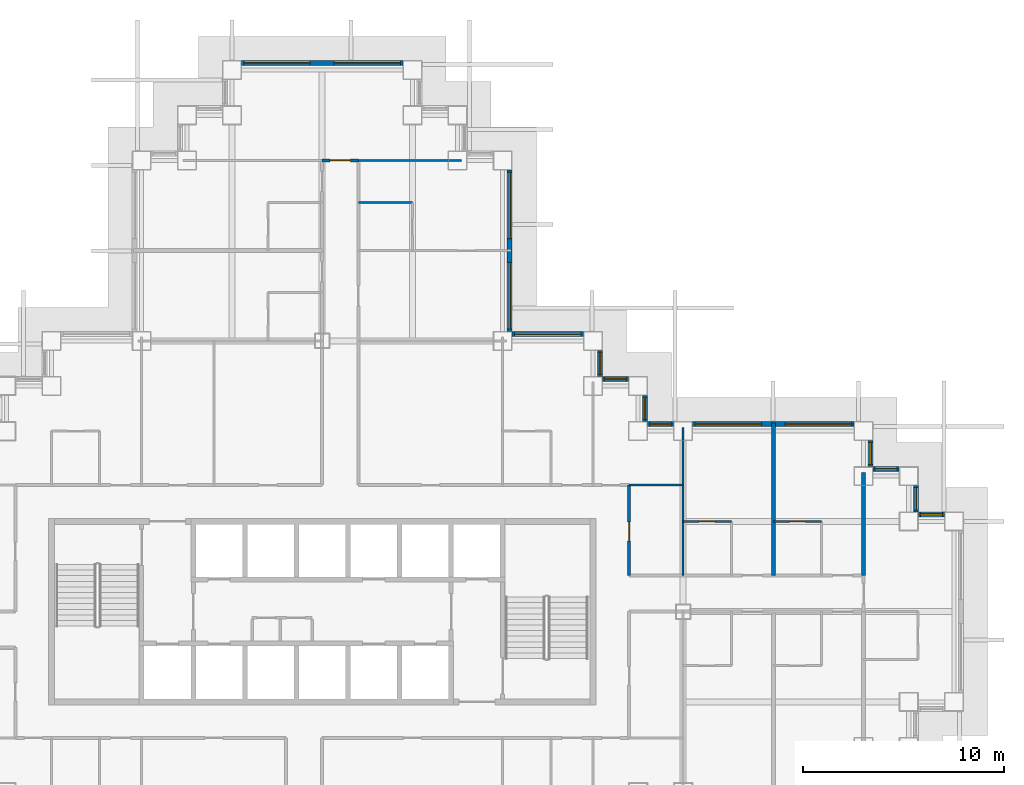
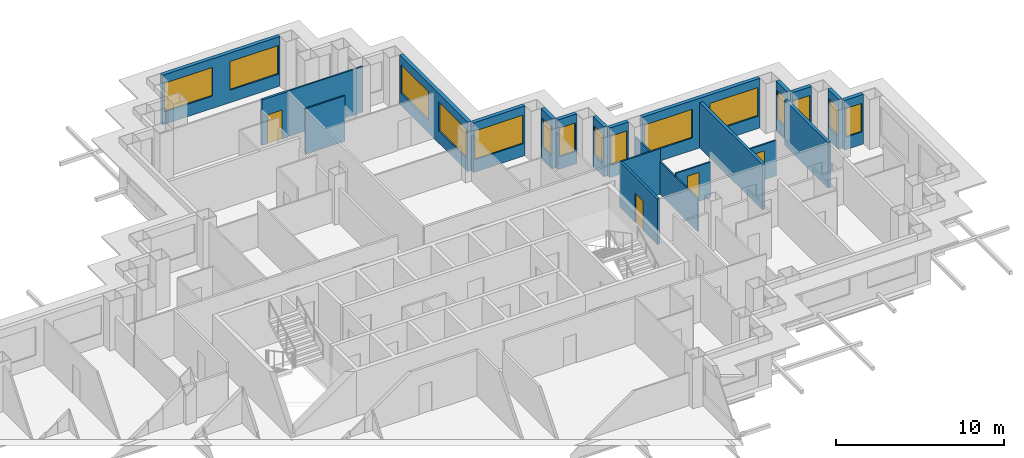
# One storey, part 9 of 15: 22 walls, 15 windows, 4 doors, 19 openings.
"""IFC4 building model written with IfcOpenShell, lengths in metres."""

from ifc_helpers import new_model, si_unit, direction, frame, frame_2d, origin, place, context, subcontext, project, spatial, rectangle, extrude, material, layer, layer_set, type_object, element, fill, save


model = new_model("IFC4")

# Units and contexts
model_context = context("Model", 3, precision=1e-05, world=origin(), true_north=direction((0.0, 1.0)))
body_context = subcontext(model_context, "Body", "Model", "MODEL_VIEW")
ifc_project = project(units=[si_unit("LENGTHUNIT", "METRE"), si_unit("AREAUNIT", "SQUARE_METRE"), si_unit("VOLUMEUNIT", "CUBIC_METRE"), si_unit("PLANEANGLEUNIT", "RADIAN"), si_unit("MASSUNIT", "GRAM", prefix="KILO")], contexts=[model_context])

# Site, building, storey
site_placement = place(None, origin())
site = spatial("IfcSite", under=ifc_project, at=site_placement, CompositionType="ELEMENT")
building_placement = place(site_placement, origin())
building = spatial("IfcBuilding", under=site, at=building_placement, Name="Caravel Reach Hotel and Residences", CompositionType="ELEMENT")
storey_placement = place(building_placement, frame((0.0, 0.0, 81.60009765625)))
storey = spatial("IfcBuildingStorey", under=building, at=storey_placement, Name="L19", CompositionType="ELEMENT", Elevation=81.60009765625)

# Wall, opening, door
ifc_material_1 = material(Name="Gypsum board on steel stud", Category="steel")
ifc_layer_1 = layer(ifc_material_1, 0.10009765625)
ifc_layer_set_1 = layer_set([ifc_layer_1], Name="Bathroom pod wall 100 mm")
wall_type_1 = type_object("IfcWallType", Name="Bathroom pod wall 100 mm", PredefinedType="PARTITIONING", material=ifc_layer_set_1)
wall_1_placement = place(storey_placement, frame((49.5, 31.5, 0.0), z_axis=(0.0, 0.0, 1.0), x_axis=(1.0, 0.0, 0.0)))
wall_1 = element("IfcWall", 1, at=wall_1_placement, inside=storey, type_object=wall_type_1, Name="L19 wall w093", PredefinedType="PARTITIONING", context=body_context, shape_type="SweptSolid", body=[
    extrude(rectangle(XDim=2.39990234375, YDim=0.10009765625, at=frame_2d((1.199951171875, 0.0))), origin(), (0.0, 0.0, 1.0), 2.579833984375),
])
opening_1_placement = place(wall_1_placement, frame((0.800048828125, 0.0, 0.0)))
opening_1 = element("IfcOpeningElement", 2, at=opening_1_placement, cuts=wall_1, Name="Opening D19-028", PredefinedType="OPENING", context=body_context, shape_type="SweptSolid", body=[
    extrude(rectangle(XDim=0.800048828125, YDim=2.10009765625, at=frame_2d((0.39990234375, 1.050048828125))), frame((0.0, 0.06005859375, 0.0), z_axis=(0.0, -1.0, 0.0), x_axis=(1.0, 0.0, 0.0)), (0.0, 0.0, 1.0), 0.1201171875),
])
ifc_material_2 = material(Name="Timber and steel door leaf", Category="steel")
door_type_1 = type_object("IfcDoorType", Name="Bathroom door 800 x 2100", OperationType="SINGLE_SWING_LEFT", PredefinedType="DOOR", material=ifc_material_2)
door_1_placement = place(opening_1_placement, origin())
door_1 = element("IfcDoor", 3, at=door_1_placement, inside=storey, type_object=door_type_1, Name="door D19-028", OperationType="SINGLE_SWING_LEFT", OverallHeight=2.10009765625, OverallWidth=0.800048828125, PredefinedType="DOOR", context=body_context, shape_type="SweptSolid", body=[
    extrude(rectangle(XDim=0.800048828125, YDim=2.10009765625, at=frame_2d((0.39990234375, 1.050048828125))), frame((0.0, 0.02490234375, 0.0), z_axis=(0.0, -1.0, 0.0), x_axis=(1.0, 0.0, 0.0)), (0.0, 0.0, 1.0), 0.050048828125),
])
fill(opening_1, door_1)

wall_2_placement = place(storey_placement, frame((54.0, 31.5, 0.0), z_axis=(0.0, 0.0, 1.0), x_axis=(1.0, 0.0, 0.0)))
wall_2 = element("IfcWall", 4, at=wall_2_placement, inside=storey, type_object=wall_type_1, Name="L19 wall w094", PredefinedType="PARTITIONING", context=body_context, shape_type="SweptSolid", body=[
    extrude(rectangle(XDim=2.39990234375, YDim=0.10009765625, at=frame_2d((1.199951171875, 0.0))), origin(), (0.0, 0.0, 1.0), 2.579833984375),
])
opening_2_placement = place(wall_2_placement, frame((0.800048828125, 0.0, 0.0)))
opening_2 = element("IfcOpeningElement", 5, at=opening_2_placement, cuts=wall_2, Name="Opening D19-030", PredefinedType="OPENING", context=body_context, shape_type="SweptSolid", body=[
    extrude(rectangle(XDim=0.800048828125, YDim=2.10009765625, at=frame_2d((0.39990234375, 1.050048828125))), frame((0.0, 0.06005859375, 0.0), z_axis=(0.0, -1.0, 0.0), x_axis=(1.0, 0.0, 0.0)), (0.0, 0.0, 1.0), 0.1201171875),
])
door_2_placement = place(opening_2_placement, origin())
door_2 = element("IfcDoor", 6, at=door_2_placement, inside=storey, type_object=door_type_1, Name="door D19-030", OperationType="SINGLE_SWING_LEFT", OverallHeight=2.10009765625, OverallWidth=0.800048828125, PredefinedType="DOOR", context=body_context, shape_type="SweptSolid", body=[
    extrude(rectangle(XDim=0.800048828125, YDim=2.10009765625, at=frame_2d((0.39990234375, 1.050048828125))), frame((0.0, 0.02490234375, 0.0), z_axis=(0.0, -1.0, 0.0), x_axis=(1.0, 0.0, 0.0)), (0.0, 0.0, 1.0), 0.050048828125),
])
fill(opening_2, door_2)

# Wall
wall_3_placement = place(storey_placement, frame((33.300048828125, 47.39990234375, 0.0), z_axis=(0.0, 0.0, 1.0), x_axis=(1.0, 0.0, 0.0)))
element("IfcWall", 7, at=wall_3_placement, inside=storey, type_object=wall_type_1, Name="L19 wall w099", PredefinedType="PARTITIONING", context=body_context, shape_type="SweptSolid", body=[
    extrude(rectangle(XDim=2.699951171875, YDim=0.10009765625, at=frame_2d((1.35009765625, 0.0))), origin(), (0.0, 0.0, 1.0), 3.2998046875),
])

# Wall, opening, door
ifc_material_3 = material(Name="Gypsum board on steel stud, fire-rated", Category="steel")
ifc_layer_2 = layer(ifc_material_3, 0.14990234375)
ifc_layer_set_2 = layer_set([ifc_layer_2], Name="Corridor wall 150 mm EI 60")
wall_type_2 = type_object("IfcWallType", Name="Corridor wall 150 mm EI 60", PredefinedType="PARTITIONING", material=ifc_layer_set_2)
wall_4_placement = place(storey_placement, frame((31.5, 49.5, 0.0), z_axis=(0.0, 0.0, 1.0), x_axis=(1.0, 0.0, 0.0)))
wall_4 = element("IfcWall", 8, at=wall_4_placement, inside=storey, type_object=wall_type_2, Name="L19 wall w025", PredefinedType="PARTITIONING", context=body_context, shape_type="SweptSolid", body=[
    extrude(rectangle(XDim=1.800048828125, YDim=0.14990234375, at=frame_2d((0.89990234375, 0.0))), origin(), (0.0, 0.0, 1.0), 3.2998046875),
])
opening_3_placement = place(wall_4_placement, frame((0.39990234375, 0.0, 0.0)))
opening_3 = element("IfcOpeningElement", 9, at=opening_3_placement, cuts=wall_4, Name="Opening D19-045", PredefinedType="OPENING", context=body_context, shape_type="SweptSolid", body=[
    extrude(rectangle(XDim=1.0, YDim=2.10009765625, at=frame_2d((0.5, 1.050048828125))), frame((0.0, 0.0849609375, 0.0), z_axis=(0.0, -1.0, 0.0), x_axis=(1.0, 0.0, 0.0)), (0.0, 0.0, 1.0), 0.169921875),
])
ifc_material_4 = material(Name="Steel fire door leaf", Category="steel")
door_type_2 = type_object("IfcDoorType", Name="Guest room door 1000 x 2100 EI 30", OperationType="SINGLE_SWING_LEFT", PredefinedType="DOOR", material=ifc_material_4)
door_3_placement = place(opening_3_placement, origin())
door_3 = element("IfcDoor", 10, at=door_3_placement, inside=storey, type_object=door_type_2, Name="door D19-045", OperationType="SINGLE_SWING_LEFT", OverallHeight=2.10009765625, OverallWidth=1.0, PredefinedType="DOOR", context=body_context, shape_type="SweptSolid", body=[
    extrude(rectangle(XDim=1.0, YDim=2.10009765625, at=frame_2d((0.5, 1.050048828125))), frame((0.0, 0.02490234375, 0.0), z_axis=(0.0, -1.0, 0.0), x_axis=(1.0, 0.0, 0.0)), (0.0, 0.0, 1.0), 0.050048828125),
])
fill(opening_3, door_3)

wall_5_placement = place(storey_placement, frame((46.800048828125, 28.800048828125, 0.0), z_axis=(0.0, 0.0, 1.0), x_axis=(0.0, 1.0, 0.0)))
wall_5 = element("IfcWall", 11, at=wall_5_placement, inside=storey, type_object=wall_type_2, Name="L19 wall w040", PredefinedType="PARTITIONING", context=body_context, shape_type="SweptSolid", body=[
    extrude(rectangle(XDim=4.5, YDim=0.14990234375, at=frame_2d((2.25, 0.0))), origin(), (0.0, 0.0, 1.0), 3.2998046875),
])
opening_4_placement = place(wall_5_placement, frame((1.72509765625, 0.0, 0.0)))
opening_4 = element("IfcOpeningElement", 12, at=opening_4_placement, cuts=wall_5, Name="Opening D19-066", PredefinedType="OPENING", context=body_context, shape_type="SweptSolid", body=[
    extrude(rectangle(XDim=0.949951171875, YDim=2.10009765625, at=frame_2d((0.47509765625, 1.050048828125))), frame((0.0, 0.0849609375, 0.0), z_axis=(0.0, -1.0, 0.0), x_axis=(1.0, 0.0, 0.0)), (0.0, 0.0, 1.0), 0.169921875),
])
ifc_material_5 = material(Name="Timber and steel door leaf", Category="steel")
door_type_3 = type_object("IfcDoorType", Name="Accessible WC door 950 x 2100", OperationType="SINGLE_SWING_LEFT", PredefinedType="DOOR", material=ifc_material_5)
door_4_placement = place(opening_4_placement, origin())
door_4 = element("IfcDoor", 13, at=door_4_placement, inside=storey, type_object=door_type_3, Name="door D19-066", OperationType="SINGLE_SWING_RIGHT", OverallHeight=2.10009765625, OverallWidth=0.949951171875, PredefinedType="DOOR", context=body_context, shape_type="SweptSolid", body=[
    extrude(rectangle(XDim=0.949951171875, YDim=2.10009765625, at=frame_2d((0.47509765625, 1.050048828125))), frame((0.0, 0.02490234375, 0.0), z_axis=(0.0, -1.0, 0.0), x_axis=(1.0, 0.0, 0.0)), (0.0, 0.0, 1.0), 0.050048828125),
])
fill(opening_4, door_4)

# Wall, opening, window
ifc_material_6 = material(Name="Insulated rainscreen wall, aluminium cladding", Category="aluminium")
ifc_layer_3 = layer(ifc_material_6, 0.25)
ifc_layer_set_3 = layer_set([ifc_layer_3], Name="EW1 Tower rainscreen wall")
wall_type_3 = type_object("IfcWallType", Name="EW1 Tower rainscreen wall", PredefinedType="SOLIDWALL", material=ifc_layer_set_3)
wall_6_placement = place(storey_placement, frame((62.52490234375, 31.85009765625, 0.0), z_axis=(0.0, 0.0, 1.0), x_axis=(-1.0, 0.0, 0.0)))
wall_6 = element("IfcWall", 14, at=wall_6_placement, inside=storey, type_object=wall_type_3, Name="External wall L19 N21.1", PredefinedType="SOLIDWALL", context=body_context, shape_type="SweptSolid", body=[
    extrude(rectangle(XDim=1.2998046875, YDim=0.25, at=frame_2d((0.64990234375, 0.0))), origin(), (0.0, 0.0, 1.0), 3.599853515625),
])
opening_5_placement = place(wall_6_placement, frame((0.10009765625, 0.0, 0.89990234375)))
opening_5 = element("IfcOpeningElement", 15, at=opening_5_placement, cuts=wall_6, Name="Opening WN5", PredefinedType="OPENING", context=body_context, shape_type="SweptSolid", body=[
    extrude(rectangle(XDim=1.10009765625, YDim=2.080078125, at=frame_2d((0.550048828125, 1.0400390625))), frame((0.0, 0.135009765625, 0.0), z_axis=(0.0, -1.0, 0.0), x_axis=(1.0, 0.0, 0.0)), (0.0, 0.0, 1.0), 0.27001953125),
])
ifc_material_7 = material(Name="Dark low-e glazing in black aluminium frame", Category="aluminium")
window_type_1 = type_object("IfcWindowType", Name="Hotel suite corner window 1100 x 2080", PartitioningType="SINGLE_PANEL", PredefinedType="WINDOW", material=ifc_material_7)
window_1_placement = place(opening_5_placement, origin())
window_1 = element("IfcWindow", 16, at=window_1_placement, inside=storey, type_object=window_type_1, Name="Window L19 N21.1.1", OverallHeight=2.080078125, OverallWidth=1.10009765625, PartitioningType="SINGLE_PANEL", PredefinedType="WINDOW", context=body_context, shape_type="SweptSolid", body=[
    extrude(rectangle(XDim=1.10009765625, YDim=2.080078125, at=frame_2d((0.550048828125, 1.0400390625))), frame((0.0, 0.030029296875, 0.0), z_axis=(0.0, -1.0, 0.0), x_axis=(1.0, 0.0, 0.0)), (0.0, 0.0, 1.0), 0.06005859375),
])
fill(opening_5, window_1)

wall_7_placement = place(storey_placement, frame((61.10009765625, 31.97509765625, 0.0), z_axis=(0.0, 0.0, 1.0), x_axis=(0.0, 1.0, 0.0)))
wall_7 = element("IfcWall", 17, at=wall_7_placement, inside=storey, type_object=wall_type_3, Name="External wall L19 E22.1", PredefinedType="SOLIDWALL", context=body_context, shape_type="SweptSolid", body=[
    extrude(rectangle(XDim=1.2998046875, YDim=0.25, at=frame_2d((0.64990234375, 0.0))), origin(), (0.0, 0.0, 1.0), 3.599853515625),
])
opening_6_placement = place(wall_7_placement, frame((0.10009765625, 0.0, 0.89990234375)))
opening_6 = element("IfcOpeningElement", 18, at=opening_6_placement, cuts=wall_7, Name="Opening WN5", PredefinedType="OPENING", context=body_context, shape_type="SweptSolid", body=[
    extrude(rectangle(XDim=1.10009765625, YDim=2.080078125, at=frame_2d((0.550048828125, 1.0400390625))), frame((0.0, 0.135009765625, 0.0), z_axis=(0.0, -1.0, 0.0), x_axis=(1.0, 0.0, 0.0)), (0.0, 0.0, 1.0), 0.27001953125),
])
window_2_placement = place(opening_6_placement, origin())
window_2 = element("IfcWindow", 19, at=window_2_placement, inside=storey, type_object=window_type_1, Name="Window L19 E22.1.1", OverallHeight=2.080078125, OverallWidth=1.10009765625, PartitioningType="SINGLE_PANEL", PredefinedType="WINDOW", context=body_context, shape_type="SweptSolid", body=[
    extrude(rectangle(XDim=1.10009765625, YDim=2.080078125, at=frame_2d((0.550048828125, 1.0400390625))), frame((0.0, 0.030029296875, 0.0), z_axis=(0.0, -1.0, 0.0), x_axis=(1.0, 0.0, 0.0)), (0.0, 0.0, 1.0), 0.06005859375),
])
fill(opening_6, window_2)

wall_8_placement = place(storey_placement, frame((60.27490234375, 34.10009765625, 0.0), z_axis=(0.0, 0.0, 1.0), x_axis=(-1.0, 0.0, 0.0)))
wall_8 = element("IfcWall", 20, at=wall_8_placement, inside=storey, type_object=wall_type_3, Name="External wall L19 N23.1", PredefinedType="SOLIDWALL", context=body_context, shape_type="SweptSolid", body=[
    extrude(rectangle(XDim=1.2998046875, YDim=0.25, at=frame_2d((0.64990234375, 0.0))), origin(), (0.0, 0.0, 1.0), 3.599853515625),
])
opening_7_placement = place(wall_8_placement, frame((0.10009765625, 0.0, 0.89990234375)))
opening_7 = element("IfcOpeningElement", 21, at=opening_7_placement, cuts=wall_8, Name="Opening WN5", PredefinedType="OPENING", context=body_context, shape_type="SweptSolid", body=[
    extrude(rectangle(XDim=1.10009765625, YDim=2.080078125, at=frame_2d((0.550048828125, 1.0400390625))), frame((0.0, 0.135009765625, 0.0), z_axis=(0.0, -1.0, 0.0), x_axis=(1.0, 0.0, 0.0)), (0.0, 0.0, 1.0), 0.27001953125),
])
window_3_placement = place(opening_7_placement, origin())
window_3 = element("IfcWindow", 22, at=window_3_placement, inside=storey, type_object=window_type_1, Name="Window L19 N23.1.1", OverallHeight=2.080078125, OverallWidth=1.10009765625, PartitioningType="SINGLE_PANEL", PredefinedType="WINDOW", context=body_context, shape_type="SweptSolid", body=[
    extrude(rectangle(XDim=1.10009765625, YDim=2.080078125, at=frame_2d((0.550048828125, 1.0400390625))), frame((0.0, 0.030029296875, 0.0), z_axis=(0.0, -1.0, 0.0), x_axis=(1.0, 0.0, 0.0)), (0.0, 0.0, 1.0), 0.06005859375),
])
fill(opening_7, window_3)

wall_9_placement = place(storey_placement, frame((58.85009765625, 34.22509765625, 0.0), z_axis=(0.0, 0.0, 1.0), x_axis=(0.0, 1.0, 0.0)))
wall_9 = element("IfcWall", 23, at=wall_9_placement, inside=storey, type_object=wall_type_3, Name="External wall L19 E24.1", PredefinedType="SOLIDWALL", context=body_context, shape_type="SweptSolid", body=[
    extrude(rectangle(XDim=1.2998046875, YDim=0.25, at=frame_2d((0.64990234375, 0.0))), origin(), (0.0, 0.0, 1.0), 3.599853515625),
])
opening_8_placement = place(wall_9_placement, frame((0.10009765625, 0.0, 0.89990234375)))
opening_8 = element("IfcOpeningElement", 24, at=opening_8_placement, cuts=wall_9, Name="Opening WN5", PredefinedType="OPENING", context=body_context, shape_type="SweptSolid", body=[
    extrude(rectangle(XDim=1.10009765625, YDim=2.080078125, at=frame_2d((0.550048828125, 1.0400390625))), frame((0.0, 0.135009765625, 0.0), z_axis=(0.0, -1.0, 0.0), x_axis=(1.0, 0.0, 0.0)), (0.0, 0.0, 1.0), 0.27001953125),
])
window_4_placement = place(opening_8_placement, origin())
window_4 = element("IfcWindow", 25, at=window_4_placement, inside=storey, type_object=window_type_1, Name="Window L19 E24.1.1", OverallHeight=2.080078125, OverallWidth=1.10009765625, PartitioningType="SINGLE_PANEL", PredefinedType="WINDOW", context=body_context, shape_type="SweptSolid", body=[
    extrude(rectangle(XDim=1.10009765625, YDim=2.080078125, at=frame_2d((0.550048828125, 1.0400390625))), frame((0.0, 0.030029296875, 0.0), z_axis=(0.0, -1.0, 0.0), x_axis=(1.0, 0.0, 0.0)), (0.0, 0.0, 1.0), 0.06005859375),
])
fill(opening_8, window_4)

# Wall, openings, windows
wall_10_placement = place(storey_placement, frame((58.02490234375, 36.35009765625, 0.0), z_axis=(0.0, 0.0, 1.0), x_axis=(-1.0, 0.0, 0.0)))
wall_10 = element("IfcWall", 26, at=wall_10_placement, inside=storey, type_object=wall_type_3, Name="External wall L19 N25.1", PredefinedType="SOLIDWALL", context=body_context, shape_type="SweptSolid", body=[
    extrude(rectangle(XDim=8.0498046875, YDim=0.25, at=frame_2d((4.02490234375, 0.0))), origin(), (0.0, 0.0, 1.0), 3.599853515625),
])
opening_9_placement = place(wall_10_placement, frame((0.125, 0.0, 0.89990234375)))
opening_9 = element("IfcOpeningElement", 27, at=opening_9_placement, cuts=wall_10, Name="Opening WN4", PredefinedType="OPENING", context=body_context, shape_type="SweptSolid", body=[
    extrude(rectangle(XDim=3.300048828125, YDim=2.080078125, at=frame_2d((1.64990234375, 1.0400390625))), frame((0.0, 0.135009765625, 0.0), z_axis=(0.0, -1.0, 0.0), x_axis=(1.0, 0.0, 0.0)), (0.0, 0.0, 1.0), 0.27001953125),
])
opening_10_placement = place(wall_10_placement, frame((4.625, 0.0, 0.89990234375)))
opening_10 = element("IfcOpeningElement", 28, at=opening_10_placement, cuts=wall_10, Name="Opening WN4", PredefinedType="OPENING", context=body_context, shape_type="SweptSolid", body=[
    extrude(rectangle(XDim=3.300048828125, YDim=2.080078125, at=frame_2d((1.64990234375, 1.0400390625))), frame((0.0, 0.135009765625, 0.0), z_axis=(0.0, -1.0, 0.0), x_axis=(1.0, 0.0, 0.0)), (0.0, 0.0, 1.0), 0.27001953125),
])
ifc_material_8 = material(Name="Dark low-e glazing in black aluminium frame", Category="aluminium")
window_type_2 = type_object("IfcWindowType", Name="Hotel guest room window 3300 x 2080", PartitioningType="SINGLE_PANEL", PredefinedType="WINDOW", material=ifc_material_8)
window_5_placement = place(opening_9_placement, origin())
window_5 = element("IfcWindow", 29, at=window_5_placement, inside=storey, type_object=window_type_2, Name="Window L19 N25.1.1", OverallHeight=2.080078125, OverallWidth=3.300048828125, PartitioningType="SINGLE_PANEL", PredefinedType="WINDOW", context=body_context, shape_type="SweptSolid", body=[
    extrude(rectangle(XDim=3.300048828125, YDim=2.080078125, at=frame_2d((1.64990234375, 1.0400390625))), frame((0.0, 0.030029296875, 0.0), z_axis=(0.0, -1.0, 0.0), x_axis=(1.0, 0.0, 0.0)), (0.0, 0.0, 1.0), 0.06005859375),
])
fill(opening_9, window_5)
window_6_placement = place(opening_10_placement, origin())
window_6 = element("IfcWindow", 30, at=window_6_placement, inside=storey, type_object=window_type_2, Name="Window L19 N25.1.2", OverallHeight=2.080078125, OverallWidth=3.300048828125, PartitioningType="SINGLE_PANEL", PredefinedType="WINDOW", context=body_context, shape_type="SweptSolid", body=[
    extrude(rectangle(XDim=3.300048828125, YDim=2.080078125, at=frame_2d((1.64990234375, 1.0400390625))), frame((0.0, 0.030029296875, 0.0), z_axis=(0.0, -1.0, 0.0), x_axis=(1.0, 0.0, 0.0)), (0.0, 0.0, 1.0), 0.06005859375),
])
fill(opening_10, window_6)

# Wall, opening, window
wall_11_placement = place(storey_placement, frame((49.02490234375, 36.35009765625, 0.0), z_axis=(0.0, 0.0, 1.0), x_axis=(-1.0, 0.0, 0.0)))
wall_11 = element("IfcWall", 31, at=wall_11_placement, inside=storey, type_object=wall_type_3, Name="External wall L19 N25.2", PredefinedType="SOLIDWALL", context=body_context, shape_type="SweptSolid", body=[
    extrude(rectangle(XDim=1.2998046875, YDim=0.25, at=frame_2d((0.64990234375, 0.0))), origin(), (0.0, 0.0, 1.0), 3.599853515625),
])
opening_11_placement = place(wall_11_placement, frame((0.10009765625, 0.0, 0.89990234375)))
opening_11 = element("IfcOpeningElement", 32, at=opening_11_placement, cuts=wall_11, Name="Opening WN5", PredefinedType="OPENING", context=body_context, shape_type="SweptSolid", body=[
    extrude(rectangle(XDim=1.10009765625, YDim=2.080078125, at=frame_2d((0.550048828125, 1.0400390625))), frame((0.0, 0.135009765625, 0.0), z_axis=(0.0, -1.0, 0.0), x_axis=(1.0, 0.0, 0.0)), (0.0, 0.0, 1.0), 0.27001953125),
])
window_7_placement = place(opening_11_placement, origin())
window_7 = element("IfcWindow", 33, at=window_7_placement, inside=storey, type_object=window_type_1, Name="Window L19 N25.2.1", OverallHeight=2.080078125, OverallWidth=1.10009765625, PartitioningType="SINGLE_PANEL", PredefinedType="WINDOW", context=body_context, shape_type="SweptSolid", body=[
    extrude(rectangle(XDim=1.10009765625, YDim=2.080078125, at=frame_2d((0.550048828125, 1.0400390625))), frame((0.0, 0.030029296875, 0.0), z_axis=(0.0, -1.0, 0.0), x_axis=(1.0, 0.0, 0.0)), (0.0, 0.0, 1.0), 0.06005859375),
])
fill(opening_11, window_7)

wall_12_placement = place(storey_placement, frame((47.60009765625, 36.47509765625, 0.0), z_axis=(0.0, 0.0, 1.0), x_axis=(0.0, 1.0, 0.0)))
wall_12 = element("IfcWall", 34, at=wall_12_placement, inside=storey, type_object=wall_type_3, Name="External wall L19 E26.1", PredefinedType="SOLIDWALL", context=body_context, shape_type="SweptSolid", body=[
    extrude(rectangle(XDim=1.2998046875, YDim=0.25, at=frame_2d((0.64990234375, 0.0))), origin(), (0.0, 0.0, 1.0), 3.599853515625),
])
opening_12_placement = place(wall_12_placement, frame((0.10009765625, 0.0, 0.89990234375)))
opening_12 = element("IfcOpeningElement", 35, at=opening_12_placement, cuts=wall_12, Name="Opening WN5", PredefinedType="OPENING", context=body_context, shape_type="SweptSolid", body=[
    extrude(rectangle(XDim=1.10009765625, YDim=2.080078125, at=frame_2d((0.550048828125, 1.0400390625))), frame((0.0, 0.135009765625, 0.0), z_axis=(0.0, -1.0, 0.0), x_axis=(1.0, 0.0, 0.0)), (0.0, 0.0, 1.0), 0.27001953125),
])
window_8_placement = place(opening_12_placement, origin())
window_8 = element("IfcWindow", 36, at=window_8_placement, inside=storey, type_object=window_type_1, Name="Window L19 E26.1.1", OverallHeight=2.080078125, OverallWidth=1.10009765625, PartitioningType="SINGLE_PANEL", PredefinedType="WINDOW", context=body_context, shape_type="SweptSolid", body=[
    extrude(rectangle(XDim=1.10009765625, YDim=2.080078125, at=frame_2d((0.550048828125, 1.0400390625))), frame((0.0, 0.030029296875, 0.0), z_axis=(0.0, -1.0, 0.0), x_axis=(1.0, 0.0, 0.0)), (0.0, 0.0, 1.0), 0.06005859375),
])
fill(opening_12, window_8)

wall_13_placement = place(storey_placement, frame((46.77490234375, 38.60009765625, 0.0), z_axis=(0.0, 0.0, 1.0), x_axis=(-1.0, 0.0, 0.0)))
wall_13 = element("IfcWall", 37, at=wall_13_placement, inside=storey, type_object=wall_type_3, Name="External wall L19 N27.1", PredefinedType="SOLIDWALL", context=body_context, shape_type="SweptSolid", body=[
    extrude(rectangle(XDim=1.2998046875, YDim=0.25, at=frame_2d((0.64990234375, 0.0))), origin(), (0.0, 0.0, 1.0), 3.599853515625),
])
opening_13_placement = place(wall_13_placement, frame((0.10009765625, 0.0, 0.89990234375)))
opening_13 = element("IfcOpeningElement", 38, at=opening_13_placement, cuts=wall_13, Name="Opening WN5", PredefinedType="OPENING", context=body_context, shape_type="SweptSolid", body=[
    extrude(rectangle(XDim=1.10009765625, YDim=2.080078125, at=frame_2d((0.550048828125, 1.0400390625))), frame((0.0, 0.135009765625, 0.0), z_axis=(0.0, -1.0, 0.0), x_axis=(1.0, 0.0, 0.0)), (0.0, 0.0, 1.0), 0.27001953125),
])
window_9_placement = place(opening_13_placement, origin())
window_9 = element("IfcWindow", 39, at=window_9_placement, inside=storey, type_object=window_type_1, Name="Window L19 N27.1.1", OverallHeight=2.080078125, OverallWidth=1.10009765625, PartitioningType="SINGLE_PANEL", PredefinedType="WINDOW", context=body_context, shape_type="SweptSolid", body=[
    extrude(rectangle(XDim=1.10009765625, YDim=2.080078125, at=frame_2d((0.550048828125, 1.0400390625))), frame((0.0, 0.030029296875, 0.0), z_axis=(0.0, -1.0, 0.0), x_axis=(1.0, 0.0, 0.0)), (0.0, 0.0, 1.0), 0.06005859375),
])
fill(opening_13, window_9)

wall_14_placement = place(storey_placement, frame((45.35009765625, 38.72509765625, 0.0), z_axis=(0.0, 0.0, 1.0), x_axis=(0.0, 1.0, 0.0)))
wall_14 = element("IfcWall", 40, at=wall_14_placement, inside=storey, type_object=wall_type_3, Name="External wall L19 E28.1", PredefinedType="SOLIDWALL", context=body_context, shape_type="SweptSolid", body=[
    extrude(rectangle(XDim=1.2998046875, YDim=0.25, at=frame_2d((0.64990234375, 0.0))), origin(), (0.0, 0.0, 1.0), 3.599853515625),
])
opening_14_placement = place(wall_14_placement, frame((0.10009765625, 0.0, 0.89990234375)))
opening_14 = element("IfcOpeningElement", 41, at=opening_14_placement, cuts=wall_14, Name="Opening WN5", PredefinedType="OPENING", context=body_context, shape_type="SweptSolid", body=[
    extrude(rectangle(XDim=1.10009765625, YDim=2.080078125, at=frame_2d((0.550048828125, 1.0400390625))), frame((0.0, 0.135009765625, 0.0), z_axis=(0.0, -1.0, 0.0), x_axis=(1.0, 0.0, 0.0)), (0.0, 0.0, 1.0), 0.27001953125),
])
window_10_placement = place(opening_14_placement, origin())
window_10 = element("IfcWindow", 42, at=window_10_placement, inside=storey, type_object=window_type_1, Name="Window L19 E28.1.1", OverallHeight=2.080078125, OverallWidth=1.10009765625, PartitioningType="SINGLE_PANEL", PredefinedType="WINDOW", context=body_context, shape_type="SweptSolid", body=[
    extrude(rectangle(XDim=1.10009765625, YDim=2.080078125, at=frame_2d((0.550048828125, 1.0400390625))), frame((0.0, 0.030029296875, 0.0), z_axis=(0.0, -1.0, 0.0), x_axis=(1.0, 0.0, 0.0)), (0.0, 0.0, 1.0), 0.06005859375),
])
fill(opening_14, window_10)

wall_15_placement = place(storey_placement, frame((44.52490234375, 40.85009765625, 0.0), z_axis=(0.0, 0.0, 1.0), x_axis=(-1.0, 0.0, 0.0)))
wall_15 = element("IfcWall", 43, at=wall_15_placement, inside=storey, type_object=wall_type_3, Name="External wall L19 N29.1", PredefinedType="SOLIDWALL", context=body_context, shape_type="SweptSolid", body=[
    extrude(rectangle(XDim=3.5498046875, YDim=0.25, at=frame_2d((1.77490234375, 0.0))), origin(), (0.0, 0.0, 1.0), 3.599853515625),
])
opening_15_placement = place(wall_15_placement, frame((0.125, 0.0, 0.89990234375)))
opening_15 = element("IfcOpeningElement", 44, at=opening_15_placement, cuts=wall_15, Name="Opening WN4", PredefinedType="OPENING", context=body_context, shape_type="SweptSolid", body=[
    extrude(rectangle(XDim=3.300048828125, YDim=2.080078125, at=frame_2d((1.64990234375, 1.0400390625))), frame((0.0, 0.135009765625, 0.0), z_axis=(0.0, -1.0, 0.0), x_axis=(1.0, 0.0, 0.0)), (0.0, 0.0, 1.0), 0.27001953125),
])
window_11_placement = place(opening_15_placement, origin())
window_11 = element("IfcWindow", 45, at=window_11_placement, inside=storey, type_object=window_type_2, Name="Window L19 N29.1.1", OverallHeight=2.080078125, OverallWidth=3.300048828125, PartitioningType="SINGLE_PANEL", PredefinedType="WINDOW", context=body_context, shape_type="SweptSolid", body=[
    extrude(rectangle(XDim=3.300048828125, YDim=2.080078125, at=frame_2d((1.64990234375, 1.0400390625))), frame((0.0, 0.030029296875, 0.0), z_axis=(0.0, -1.0, 0.0), x_axis=(1.0, 0.0, 0.0)), (0.0, 0.0, 1.0), 0.06005859375),
])
fill(opening_15, window_11)

# Wall, openings, windows
wall_16_placement = place(storey_placement, frame((40.85009765625, 40.97509765625, 0.0), z_axis=(0.0, 0.0, 1.0), x_axis=(0.0, 1.0, 0.0)))
wall_16 = element("IfcWall", 46, at=wall_16_placement, inside=storey, type_object=wall_type_3, Name="External wall L19 E30.1", PredefinedType="SOLIDWALL", context=body_context, shape_type="SweptSolid", body=[
    extrude(rectangle(XDim=8.0498046875, YDim=0.25, at=frame_2d((4.02490234375, 0.0))), origin(), (0.0, 0.0, 1.0), 3.599853515625),
])
opening_16_placement = place(wall_16_placement, frame((0.125, 0.0, 0.89990234375)))
opening_16 = element("IfcOpeningElement", 47, at=opening_16_placement, cuts=wall_16, Name="Opening WN4", PredefinedType="OPENING", context=body_context, shape_type="SweptSolid", body=[
    extrude(rectangle(XDim=3.300048828125, YDim=2.080078125, at=frame_2d((1.64990234375, 1.0400390625))), frame((0.0, 0.135009765625, 0.0), z_axis=(0.0, -1.0, 0.0), x_axis=(1.0, 0.0, 0.0)), (0.0, 0.0, 1.0), 0.27001953125),
])
opening_17_placement = place(wall_16_placement, frame((4.625, 0.0, 0.89990234375)))
opening_17 = element("IfcOpeningElement", 48, at=opening_17_placement, cuts=wall_16, Name="Opening WN4", PredefinedType="OPENING", context=body_context, shape_type="SweptSolid", body=[
    extrude(rectangle(XDim=3.300048828125, YDim=2.080078125, at=frame_2d((1.64990234375, 1.0400390625))), frame((0.0, 0.135009765625, 0.0), z_axis=(0.0, -1.0, 0.0), x_axis=(1.0, 0.0, 0.0)), (0.0, 0.0, 1.0), 0.27001953125),
])
window_12_placement = place(opening_16_placement, origin())
window_12 = element("IfcWindow", 49, at=window_12_placement, inside=storey, type_object=window_type_2, Name="Window L19 E30.1.1", OverallHeight=2.080078125, OverallWidth=3.300048828125, PartitioningType="SINGLE_PANEL", PredefinedType="WINDOW", context=body_context, shape_type="SweptSolid", body=[
    extrude(rectangle(XDim=3.300048828125, YDim=2.080078125, at=frame_2d((1.64990234375, 1.0400390625))), frame((0.0, 0.030029296875, 0.0), z_axis=(0.0, -1.0, 0.0), x_axis=(1.0, 0.0, 0.0)), (0.0, 0.0, 1.0), 0.06005859375),
])
fill(opening_16, window_12)
window_13_placement = place(opening_17_placement, origin())
window_13 = element("IfcWindow", 50, at=window_13_placement, inside=storey, type_object=window_type_2, Name="Window L19 E30.1.2", OverallHeight=2.080078125, OverallWidth=3.300048828125, PartitioningType="SINGLE_PANEL", PredefinedType="WINDOW", context=body_context, shape_type="SweptSolid", body=[
    extrude(rectangle(XDim=3.300048828125, YDim=2.080078125, at=frame_2d((1.64990234375, 1.0400390625))), frame((0.0, 0.030029296875, 0.0), z_axis=(0.0, -1.0, 0.0), x_axis=(1.0, 0.0, 0.0)), (0.0, 0.0, 1.0), 0.06005859375),
])
fill(opening_17, window_13)

wall_17_placement = place(storey_placement, frame((35.52490234375, 54.35009765625, 0.0), z_axis=(0.0, 0.0, 1.0), x_axis=(-1.0, 0.0, 0.0)))
wall_17 = element("IfcWall", 51, at=wall_17_placement, inside=storey, type_object=wall_type_3, Name="External wall L19 N35.1", PredefinedType="SOLIDWALL", context=body_context, shape_type="SweptSolid", body=[
    extrude(rectangle(XDim=8.0498046875, YDim=0.25, at=frame_2d((4.02490234375, 0.0))), origin(), (0.0, 0.0, 1.0), 3.599853515625),
])
opening_18_placement = place(wall_17_placement, frame((0.125, 0.0, 0.89990234375)))
opening_18 = element("IfcOpeningElement", 52, at=opening_18_placement, cuts=wall_17, Name="Opening WN4", PredefinedType="OPENING", context=body_context, shape_type="SweptSolid", body=[
    extrude(rectangle(XDim=3.300048828125, YDim=2.080078125, at=frame_2d((1.64990234375, 1.0400390625))), frame((0.0, 0.135009765625, 0.0), z_axis=(0.0, -1.0, 0.0), x_axis=(1.0, 0.0, 0.0)), (0.0, 0.0, 1.0), 0.27001953125),
])
opening_19_placement = place(wall_17_placement, frame((4.625, 0.0, 0.89990234375)))
opening_19 = element("IfcOpeningElement", 53, at=opening_19_placement, cuts=wall_17, Name="Opening WN4", PredefinedType="OPENING", context=body_context, shape_type="SweptSolid", body=[
    extrude(rectangle(XDim=3.300048828125, YDim=2.080078125, at=frame_2d((1.64990234375, 1.0400390625))), frame((0.0, 0.135009765625, 0.0), z_axis=(0.0, -1.0, 0.0), x_axis=(1.0, 0.0, 0.0)), (0.0, 0.0, 1.0), 0.27001953125),
])
window_14_placement = place(opening_18_placement, origin())
window_14 = element("IfcWindow", 54, at=window_14_placement, inside=storey, type_object=window_type_2, Name="Window L19 N35.1.1", OverallHeight=2.080078125, OverallWidth=3.300048828125, PartitioningType="SINGLE_PANEL", PredefinedType="WINDOW", context=body_context, shape_type="SweptSolid", body=[
    extrude(rectangle(XDim=3.300048828125, YDim=2.080078125, at=frame_2d((1.64990234375, 1.0400390625))), frame((0.0, 0.030029296875, 0.0), z_axis=(0.0, -1.0, 0.0), x_axis=(1.0, 0.0, 0.0)), (0.0, 0.0, 1.0), 0.06005859375),
])
fill(opening_18, window_14)
window_15_placement = place(opening_19_placement, origin())
window_15 = element("IfcWindow", 55, at=window_15_placement, inside=storey, type_object=window_type_2, Name="Window L19 N35.1.2", OverallHeight=2.080078125, OverallWidth=3.300048828125, PartitioningType="SINGLE_PANEL", PredefinedType="WINDOW", context=body_context, shape_type="SweptSolid", body=[
    extrude(rectangle(XDim=3.300048828125, YDim=2.080078125, at=frame_2d((1.64990234375, 1.0400390625))), frame((0.0, 0.030029296875, 0.0), z_axis=(0.0, -1.0, 0.0), x_axis=(1.0, 0.0, 0.0)), (0.0, 0.0, 1.0), 0.06005859375),
])
fill(opening_19, window_15)

# Walls
ifc_material_9 = material(Name="Gypsum board on steel stud", Category="steel")
ifc_layer_4 = layer(ifc_material_9, 0.10009765625)
ifc_layer_set_4 = layer_set([ifc_layer_4], Name="Partition 100 mm")
wall_type_4 = type_object("IfcWallType", Name="Partition 100 mm", PredefinedType="PARTITIONING", material=ifc_layer_set_4)
wall_18_placement = place(storey_placement, frame((46.800048828125, 33.300048828125, 0.0), z_axis=(0.0, 0.0, 1.0), x_axis=(1.0, 0.0, 0.0)))
element("IfcWall", 56, at=wall_18_placement, inside=storey, type_object=wall_type_4, Name="L19 wall w048", PredefinedType="PARTITIONING", context=body_context, shape_type="SweptSolid", body=[
    extrude(rectangle(XDim=2.699951171875, YDim=0.10009765625, at=frame_2d((1.35009765625, 0.0))), origin(), (0.0, 0.0, 1.0), 3.2998046875),
])
wall_19_placement = place(storey_placement, frame((33.300048828125, 49.5, 0.0), z_axis=(0.0, 0.0, 1.0), x_axis=(1.0, 0.0, 0.0)))
element("IfcWall", 57, at=wall_19_placement, inside=storey, type_object=wall_type_4, Name="L19 wall w054", PredefinedType="PARTITIONING", context=body_context, shape_type="SweptSolid", body=[
    extrude(rectangle(XDim=5.139892578125, YDim=0.10009765625, at=frame_2d((2.56982421875, 0.0))), origin(), (0.0, 0.0, 1.0), 3.2998046875),
])
wall_20_placement = place(storey_placement, frame((49.5, 28.800048828125, 0.0), z_axis=(0.0, 0.0, 1.0), x_axis=(0.0, 1.0, 0.0)))
element("IfcWall", 58, at=wall_20_placement, inside=storey, type_object=wall_type_4, Name="L19 wall w070", PredefinedType="PARTITIONING", context=body_context, shape_type="SweptSolid", body=[
    extrude(rectangle(XDim=7.389892578125, YDim=0.10009765625, at=frame_2d((3.69482421875, 0.0))), origin(), (0.0, 0.0, 1.0), 2.3798828125),
])
ifc_material_10 = material(Name="Autoclaved aerated block wall")
ifc_layer_5 = layer(ifc_material_10, 0.199951171875)
ifc_layer_set_5 = layer_set([ifc_layer_5], Name="Party wall 200 mm EI 60")
wall_type_5 = type_object("IfcWallType", Name="Party wall 200 mm EI 60", PredefinedType="PARTITIONING", material=ifc_layer_set_5)
wall_21_placement = place(storey_placement, frame((54.0, 28.800048828125, 0.0), z_axis=(0.0, 0.0, 1.0), x_axis=(0.0, 1.0, 0.0)))
element("IfcWall", 59, at=wall_21_placement, inside=storey, type_object=wall_type_5, Name="L19 wall w077", PredefinedType="PARTITIONING", context=body_context, shape_type="SweptSolid", body=[
    extrude(rectangle(XDim=7.614990234375, YDim=0.199951171875, at=frame_2d((3.8076171875, 0.0))), origin(), (0.0, 0.0, 1.0), 3.2998046875),
])
wall_22_placement = place(storey_placement, frame((58.5, 28.800048828125, 0.0), z_axis=(0.0, 0.0, 1.0), x_axis=(0.0, 1.0, 0.0)))
element("IfcWall", 60, at=wall_22_placement, inside=storey, type_object=wall_type_5, Name="L19 wall w079", PredefinedType="PARTITIONING", context=body_context, shape_type="SweptSolid", body=[
    extrude(rectangle(XDim=5.139892578125, YDim=0.199951171875, at=frame_2d((2.56982421875, 0.0))), origin(), (0.0, 0.0, 1.0), 3.2998046875),
])

save(model, "model.ifc")
